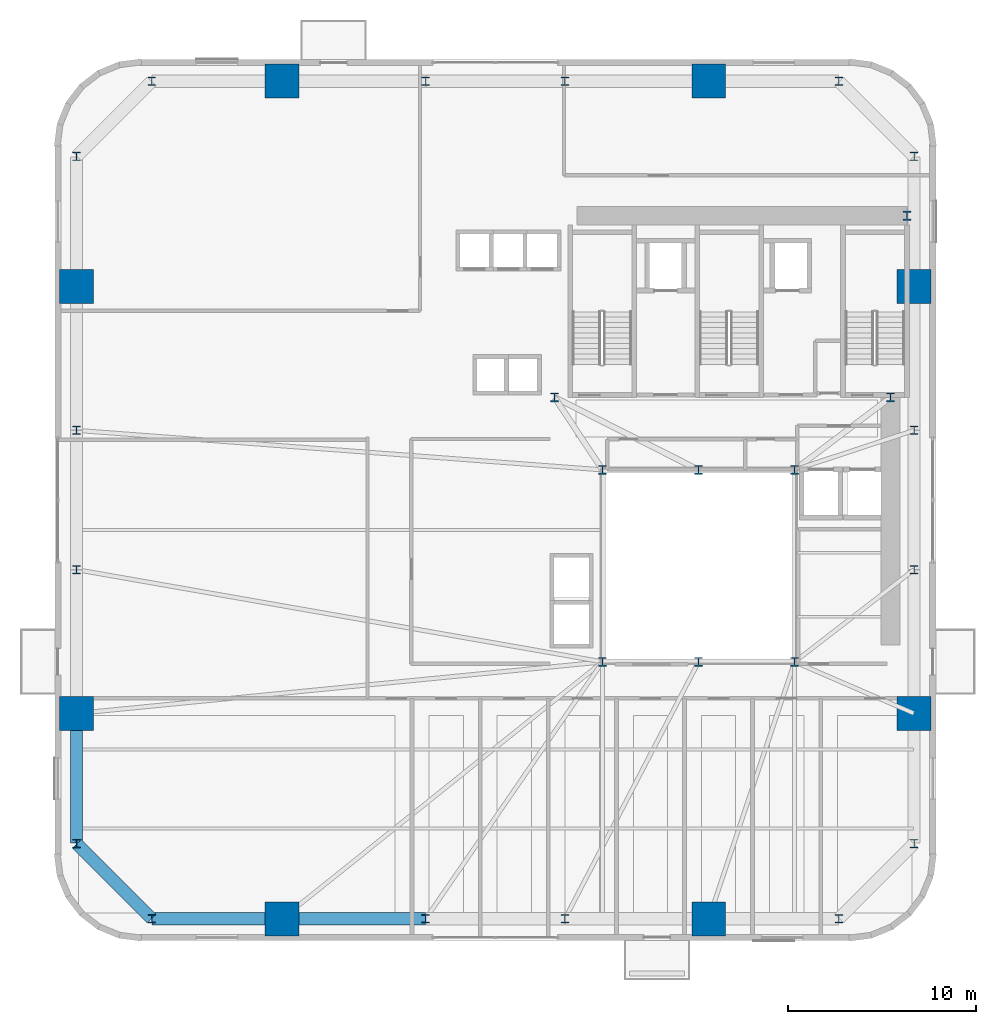
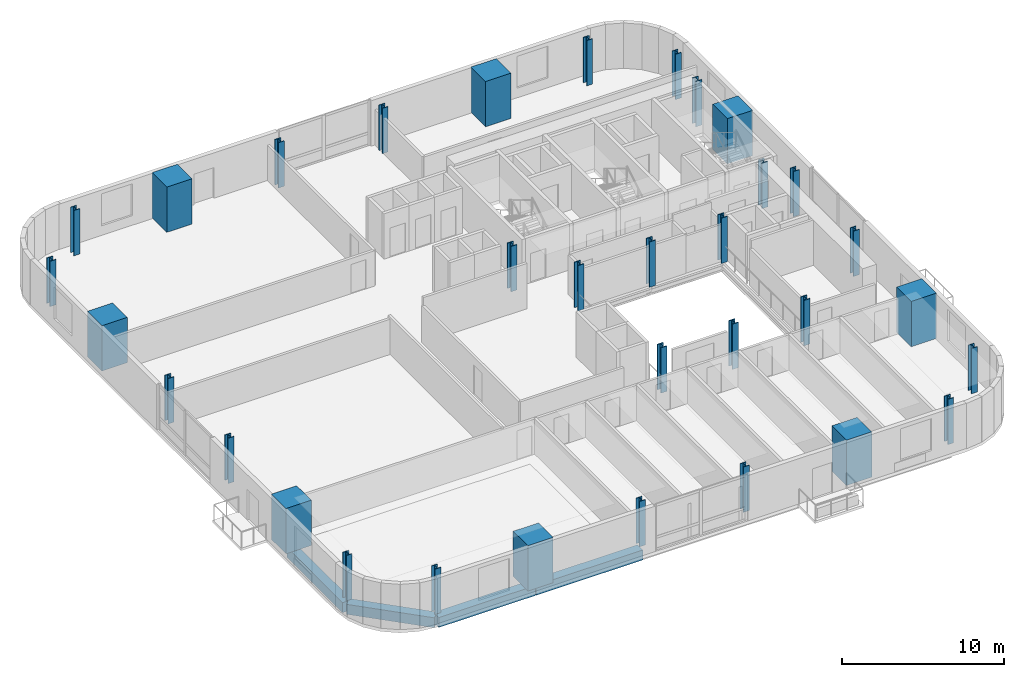
# One storey, part 1 of 12: 33 columns, 4 beams.
"""IFC4 building model written with IfcOpenShell, lengths in metres."""

from ifc_helpers import new_model, si_unit, direction, frame, origin, origin_2d, place, context, subcontext, project, spatial, rectangle, i_section, extrude, source, transform, mapped, material, material_profile, profile_set, type_object, element, save


model = new_model("IFC4")

# Units and contexts
model_context = context("Model", 3, precision=1e-05, world=origin(), true_north=direction((0.0, 1.0)))
body_context = subcontext(model_context, "Body", "Model", "MODEL_VIEW")
ifc_project = project(units=[si_unit("LENGTHUNIT", "METRE"), si_unit("AREAUNIT", "SQUARE_METRE"), si_unit("VOLUMEUNIT", "CUBIC_METRE"), si_unit("PLANEANGLEUNIT", "RADIAN"), si_unit("MASSUNIT", "GRAM", prefix="KILO")], contexts=[model_context])

# Site, building, storey
site_placement = place(None, origin())
site = spatial("IfcSite", under=ifc_project, at=site_placement, CompositionType="ELEMENT")
building_placement = place(site_placement, origin())
building = spatial("IfcBuilding", under=site, at=building_placement, Name="Vardaveli Station Tower", CompositionType="ELEMENT")
storey_placement = place(building_placement, frame((0.0, 0.0, 60.449951171875)))
storey = spatial("IfcBuildingStorey", under=building, at=storey_placement, Name="L15", CompositionType="ELEMENT", Elevation=60.449951171875)

# Columns
ifc_material_1 = material(Name="Structural steel S460M", Category="steel")
ifc_material_profile_1 = material_profile(ifc_material_1, i_section(OverallWidth=0.427978515625, OverallDepth=0.48095703125, WebThickness=0.03955078125, FlangeThickness=0.0634765625, FilletRadius=0.014892578125, at=origin_2d()), Name="HD 400x677")
ifc_profile_set_1 = profile_set([ifc_material_profile_1], Name="Structural steel S460M")
column_type_1 = type_object("IfcColumnType", Name="COL-HD677", PredefinedType="COLUMN", material=ifc_profile_set_1)
shared_shape_1 = source(origin(), body_context, "Body", "SweptSolid", [
    extrude(i_section(OverallWidth=0.427978515625, OverallDepth=0.48095703125, WebThickness=0.03955078125, FlangeThickness=0.0634765625, FilletRadius=0.014892578125, at=origin_2d()), origin(), (0.0, 0.0, 1.0), 3.41015625),
])
for number, where, z_axis, x_axis, name in (
    (1, (31.199951171875, 16.60009765625, 0.0), (0.0, 0.0, 1.0), (1.0, 0.0, 0.0), "COL-L15-AC1"),
    (2, (36.300048828125, 16.60009765625, 0.0), (0.0, 0.0, 1.0), (1.0, 0.0, 0.0), "COL-L15-AC2"),
    (3, (41.39990234375, 16.60009765625, 0.0), (0.0, 0.0, 1.0), (1.0, 0.0, 0.0), "COL-L15-AC3"),
    (4, (41.39990234375, 26.800048828125, 0.0), (0.0, 0.0, 1.0), (1.0, 0.0, 0.0), "COL-L15-AC4"),
    (5, (36.300048828125, 26.800048828125, 0.0), (0.0, 0.0, 1.0), (1.0, 0.0, 0.0), "COL-L15-AC5"),
    (6, (31.199951171875, 26.800048828125, 0.0), (0.0, 0.0, 1.0), (1.0, 0.0, 0.0), "COL-L15-AC6"),
    (7, (28.64990234375, 30.64990234375, 0.0), (0.0, 0.0, 1.0), (1.0, 0.0, 0.0), "COL-L15-CC1"),
    (8, (46.5, 30.64990234375, 0.0), (0.0, 0.0, 1.0), (1.0, 0.0, 0.0), "COL-L15-CC2"),
    (9, (47.3701171875, 40.300048828125, 0.0), (0.0, 0.0, 1.0), (1.0, 0.0, 0.0), "COL-L15-CC3"),
):
    element("IfcColumn", number, at=place(storey_placement, frame(where, z_axis=z_axis, x_axis=x_axis)), inside=storey, type_object=column_type_1, Name=name, PredefinedType="COLUMN", context=body_context, shape_type="MappedRepresentation", body=[
        mapped(shared_shape_1, transform((0.0, 0.0, 0.0), scale=1.0)),
    ])
ifc_material_2 = material(Name="Concrete C70/85", Category="concrete")
ifc_material_profile_2 = material_profile(ifc_material_2, rectangle(XDim=1.800048828125, YDim=1.800048828125, at=origin_2d()), Name="MC 1800x1800")
ifc_profile_set_2 = profile_set([ifc_material_profile_2], Name="Concrete C70/85")
column_type_2 = type_object("IfcColumnType", Name="COL-MC-1800", PredefinedType="COLUMN", material=ifc_profile_set_2)
shared_shape_2 = source(origin(), body_context, "Body", "SweptSolid", [
    extrude(rectangle(XDim=1.800048828125, YDim=1.800048828125, at=origin_2d()), origin(), (0.0, 0.0, 1.0), 3.41015625),
])
for number, where, z_axis, x_axis, name in (
    (10, (14.159912109375, 2.949951171875, 0.0), (0.0, 0.0, 1.0), (1.0, 0.0, 0.0), "COL-L15-MC1"),
    (11, (36.840087890625, 2.949951171875, 0.0), (0.0, 0.0, 1.0), (1.0, 0.0, 0.0), "COL-L15-MC2"),
    (12, (47.75, 13.860107421875, 0.0), (0.0, 0.0, 1.0), (1.0, 0.0, 0.0), "COL-L15-MC3"),
    (13, (47.75, 36.5400390625, 0.0), (0.0, 0.0, 1.0), (1.0, 0.0, 0.0), "COL-L15-MC4"),
    (14, (36.840087890625, 47.449951171875, 0.0), (0.0, 0.0, 1.0), (1.0, 0.0, 0.0), "COL-L15-MC5"),
    (15, (14.159912109375, 47.449951171875, 0.0), (0.0, 0.0, 1.0), (1.0, 0.0, 0.0), "COL-L15-MC6"),
    (16, (3.25, 36.5400390625, 0.0), (0.0, 0.0, 1.0), (1.0, 0.0, 0.0), "COL-L15-MC7"),
    (17, (3.25, 13.860107421875, 0.0), (0.0, 0.0, 1.0), (1.0, 0.0, 0.0), "COL-L15-MC8"),
):
    element("IfcColumn", number, at=place(storey_placement, frame(where, z_axis=z_axis, x_axis=x_axis)), inside=storey, type_object=column_type_2, Name=name, PredefinedType="COLUMN", context=body_context, shape_type="MappedRepresentation", body=[
        mapped(shared_shape_2, transform((0.0, 0.0, 0.0), scale=1.0)),
    ])
ifc_material_profile_3 = material_profile(ifc_material_1, i_section(OverallWidth=0.4189453125, OverallDepth=0.448974609375, WebThickness=0.030517578125, FlangeThickness=0.04833984375, FilletRadius=0.014892578125, at=origin_2d()), Name="HD 400x509")
ifc_profile_set_3 = profile_set([ifc_material_profile_3], Name="Structural steel S460M")
column_type_3 = type_object("IfcColumnType", Name="COL-HD509", PredefinedType="COLUMN", material=ifc_profile_set_3)
shared_shape_3 = source(origin(), body_context, "Body", "SweptSolid", [
    extrude(i_section(OverallWidth=0.4189453125, OverallDepth=0.448974609375, WebThickness=0.030517578125, FlangeThickness=0.04833984375, FilletRadius=0.014892578125, at=origin_2d()), origin(), (0.0, 0.0, 1.0), 3.41015625),
])
for number, where, z_axis, x_axis, name in (
    (18, (7.25, 2.949951171875, 0.0), (0.0, 0.0, 1.0), (1.0, 0.0, 0.0), "COL-L15-PC01"),
    (19, (21.800048828125, 2.949951171875, 0.0), (0.0, 0.0, 1.0), (1.0, 0.0, 0.0), "COL-L15-PC02"),
    (20, (29.199951171875, 2.949951171875, 0.0), (0.0, 0.0, 1.0), (1.0, 0.0, 0.0), "COL-L15-PC03"),
    (21, (43.75, 2.949951171875, 0.0), (0.0, 0.0, 1.0), (1.0, 0.0, 0.0), "COL-L15-PC04"),
    (22, (47.75, 6.949951171875, 0.0), (0.0, 0.0, 1.0), (1.0, 0.0, 0.0), "COL-L15-PC05"),
    (23, (47.75, 21.5, 0.0), (0.0, 0.0, 1.0), (1.0, 0.0, 0.0), "COL-L15-PC06"),
    (24, (47.75, 28.89990234375, 0.0), (0.0, 0.0, 1.0), (1.0, 0.0, 0.0), "COL-L15-PC07"),
    (25, (47.75, 43.449951171875, 0.0), (0.0, 0.0, 1.0), (1.0, 0.0, 0.0), "COL-L15-PC08"),
    (26, (43.75, 47.449951171875, 0.0), (0.0, 0.0, 1.0), (1.0, 0.0, 0.0), "COL-L15-PC09"),
    (27, (29.199951171875, 47.449951171875, 0.0), (0.0, 0.0, 1.0), (1.0, 0.0, 0.0), "COL-L15-PC10"),
    (28, (21.800048828125, 47.449951171875, 0.0), (0.0, 0.0, 1.0), (1.0, 0.0, 0.0), "COL-L15-PC11"),
    (29, (7.25, 47.449951171875, 0.0), (0.0, 0.0, 1.0), (1.0, 0.0, 0.0), "COL-L15-PC12"),
    (30, (3.25, 43.449951171875, 0.0), (0.0, 0.0, 1.0), (1.0, 0.0, 0.0), "COL-L15-PC13"),
    (31, (3.25, 28.89990234375, 0.0), (0.0, 0.0, 1.0), (1.0, 0.0, 0.0), "COL-L15-PC14"),
    (32, (3.25, 21.5, 0.0), (0.0, 0.0, 1.0), (1.0, 0.0, 0.0), "COL-L15-PC15"),
    (33, (3.25, 6.949951171875, 0.0), (0.0, 0.0, 1.0), (1.0, 0.0, 0.0), "COL-L15-PC16"),
):
    element("IfcColumn", number, at=place(storey_placement, frame(where, z_axis=z_axis, x_axis=x_axis)), inside=storey, type_object=column_type_3, Name=name, PredefinedType="COLUMN", context=body_context, shape_type="MappedRepresentation", body=[
        mapped(shared_shape_3, transform((0.0, 0.0, 0.0), scale=1.0)),
    ])

# Beams
ifc_material_3 = material(Name="Precast concrete C45/55", Category="concrete")
ifc_material_profile_4 = material_profile(ifc_material_3, rectangle(XDim=0.64990234375, YDim=0.75, at=origin_2d()), Name="LPB 650x750")
ifc_profile_set_4 = profile_set([ifc_material_profile_4], Name="Precast concrete C45/55")
beam_type = type_object("IfcBeamType", Name="BM-LPB-750", PredefinedType="BEAM", material=ifc_profile_set_4)
shared_shape_4 = source(origin(), body_context, "Body", "SweptSolid", [
    extrude(rectangle(XDim=0.64990234375, YDim=0.75, at=origin_2d()), origin(), (0.0, 0.0, 1.0), 7.60009765625),
])
beam_1_placement = place(storey_placement, frame((14.179931640625, 2.949951171875, -0.614990234375), z_axis=(1.0, 0.0, 0.0), x_axis=(0.0, 1.0, 0.0)))
element("IfcBeam", 34, at=beam_1_placement, inside=storey, type_object=beam_type, Name="RBM-L15-01", PredefinedType="BEAM", context=body_context, shape_type="MappedRepresentation", body=[
    mapped(shared_shape_4, transform((0.0, 0.0, 0.0), scale=1.0)),
])
shared_shape_5 = source(origin(), body_context, "Body", "SweptSolid", [
    extrude(rectangle(XDim=0.64990234375, YDim=0.75, at=origin_2d()), origin(), (0.0, 0.0, 1.0), 6.869873046875),
])
beam_2_placement = place(storey_placement, frame((7.27001953125, 2.949951171875, -0.614990234375), z_axis=(1.0, 0.0, 0.0), x_axis=(0.0, 1.0, 0.0)))
element("IfcBeam", 35, at=beam_2_placement, inside=storey, type_object=beam_type, Name="RBM-L15-24", PredefinedType="BEAM", context=body_context, shape_type="MappedRepresentation", body=[
    mapped(shared_shape_5, transform((0.0, 0.0, 0.0), scale=1.0)),
])
shared_shape_6 = source(origin(), body_context, "Body", "SweptSolid", [
    extrude(rectangle(XDim=0.64990234375, YDim=0.75, at=origin_2d()), origin(), (0.0, 0.0, 1.0), 5.61669921875),
])
beam_3_placement = place(storey_placement, frame((3.26416015625, 6.935791015625, -0.614990234375), z_axis=(0.707106781187, -0.707106781187, 0.0), x_axis=(0.707106781187, 0.707106781187, 0.0)))
element("IfcBeam", 36, at=beam_3_placement, inside=storey, type_object=beam_type, Name="RBM-L15-23", PredefinedType="BEAM", context=body_context, shape_type="MappedRepresentation", body=[
    mapped(shared_shape_6, transform((0.0, 0.0, 0.0), scale=1.0)),
])
shared_shape_7 = source(origin(), body_context, "Body", "SweptSolid", [
    extrude(rectangle(XDim=0.64990234375, YDim=0.75, at=origin_2d()), origin(), (0.0, 0.0, 1.0), 6.8701171875),
])
beam_4_placement = place(storey_placement, frame((3.25, 13.840087890625, -0.614990234375), z_axis=(0.0, -1.0, 0.0), x_axis=(1.0, 0.0, 0.0)))
element("IfcBeam", 37, at=beam_4_placement, inside=storey, type_object=beam_type, Name="RBM-L15-22", PredefinedType="BEAM", context=body_context, shape_type="MappedRepresentation", body=[
    mapped(shared_shape_7, transform((0.0, 0.0, 0.0), scale=1.0)),
])

save(model, "model.ifc")
